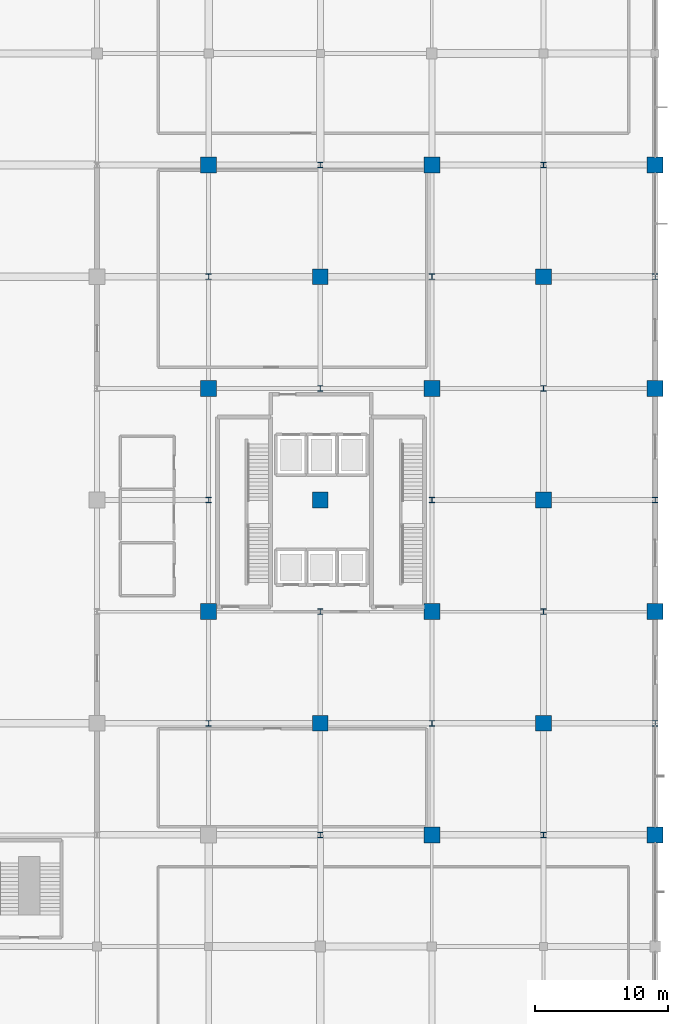
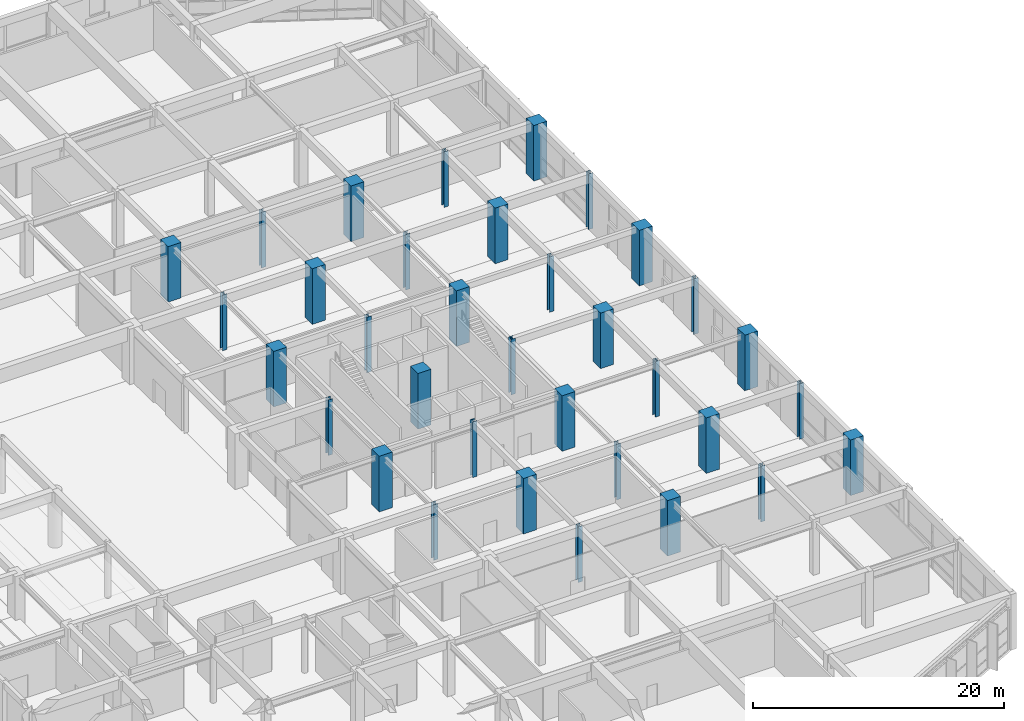
# One storey, part 6 of 62: 34 columns.
"""IFC4 building model written with IfcOpenShell, lengths in metres."""

from ifc_helpers import new_model, si_unit, direction, frame, origin, origin_2d, place, context, subcontext, project, spatial, rectangle, i_section, extrude, material, material_profile, profile_set, type_object, element, save


model = new_model("IFC4")

# Units and contexts
model_context = context("Model", 3, precision=1e-05, world=origin(), true_north=direction((0.0, 1.0)))
body_context = subcontext(model_context, "Body", "Model", "MODEL_VIEW")
ifc_project = project(units=[si_unit("LENGTHUNIT", "METRE"), si_unit("AREAUNIT", "SQUARE_METRE"), si_unit("VOLUMEUNIT", "CUBIC_METRE"), si_unit("PLANEANGLEUNIT", "RADIAN"), si_unit("MASSUNIT", "GRAM", prefix="KILO")], contexts=[model_context])

# Site, building, storey
site_placement = place(None, origin())
site = spatial("IfcSite", under=ifc_project, at=site_placement, CompositionType="ELEMENT")
building_placement = place(site_placement, origin())
building = spatial("IfcBuilding", under=site, at=building_placement, Name="Xuanlan Plaza Opera House", CompositionType="ELEMENT")
storey_placement = place(building_placement, origin())
storey = spatial("IfcBuildingStorey", under=building, at=storey_placement, Name="L00", CompositionType="ELEMENT", Elevation=0.0)

# Columns
ifc_material_1 = material(Name="Concrete C60", Category="concrete")
ifc_material_profile_1 = material_profile(ifc_material_1, rectangle(XDim=1.199951171875, YDim=1.199951171875, at=origin_2d()), Name="RC-COL 1200x1200")
ifc_profile_set_1 = profile_set([ifc_material_profile_1], Name="Concrete C60")
column_type_1 = type_object("IfcColumnType", Name="STR-COL-C-02", PredefinedType="COLUMN", material=ifc_profile_set_1)
for number, where, z_axis, x_axis, name in (
    (1, (134.39990234375, 50.39990234375, 0.0), (0.0, 0.0, 1.0), (1.0, 0.0, 0.0), "Column L00 17-G"),
    (2, (134.39990234375, 67.199951171875, 0.0), (0.0, 0.0, 1.0), (1.0, 0.0, 0.0), "Column L00 17-I"),
    (3, (134.39990234375, 84.0, 0.0), (0.0, 0.0, 1.0), (1.0, 0.0, 0.0), "Column L00 17-K"),
    (4, (142.800048828125, 42.0, 0.0), (0.0, 0.0, 1.0), (1.0, 0.0, 0.0), "Column L00 18-F"),
    (5, (142.800048828125, 58.800048828125, 0.0), (0.0, 0.0, 1.0), (1.0, 0.0, 0.0), "Column L00 18-H"),
    (6, (142.800048828125, 75.60009765625, 0.0), (0.0, 0.0, 1.0), (1.0, 0.0, 0.0), "Column L00 18-J"),
    (7, (151.199951171875, 33.60009765625, 0.0), (0.0, 0.0, 1.0), (1.0, 0.0, 0.0), "Column L00 19-E"),
    (8, (151.199951171875, 50.39990234375, 0.0), (0.0, 0.0, 1.0), (1.0, 0.0, 0.0), "Column L00 19-G"),
    (9, (151.199951171875, 67.199951171875, 0.0), (0.0, 0.0, 1.0), (1.0, 0.0, 0.0), "Column L00 19-I"),
    (10, (151.199951171875, 84.0, 0.0), (0.0, 0.0, 1.0), (1.0, 0.0, 0.0), "Column L00 19-K"),
    (11, (159.60009765625, 42.0, 0.0), (0.0, 0.0, 1.0), (1.0, 0.0, 0.0), "Column L00 20-F"),
    (12, (159.60009765625, 58.800048828125, 0.0), (0.0, 0.0, 1.0), (1.0, 0.0, 0.0), "Column L00 20-H"),
    (13, (159.60009765625, 75.60009765625, 0.0), (0.0, 0.0, 1.0), (1.0, 0.0, 0.0), "Column L00 20-J"),
    (14, (168.0, 33.60009765625, 0.0), (0.0, 0.0, 1.0), (1.0, 0.0, 0.0), "Column L00 21-E"),
    (15, (168.0, 50.39990234375, 0.0), (0.0, 0.0, 1.0), (1.0, 0.0, 0.0), "Column L00 21-G"),
    (16, (168.0, 67.199951171875, 0.0), (0.0, 0.0, 1.0), (1.0, 0.0, 0.0), "Column L00 21-I"),
    (17, (168.0, 84.0, 0.0), (0.0, 0.0, 1.0), (1.0, 0.0, 0.0), "Column L00 21-K"),
):
    element("IfcColumn", number, at=place(storey_placement, frame(where, z_axis=z_axis, x_axis=x_axis)), inside=storey, type_object=column_type_1, Name=name, PredefinedType="COLUMN", context=body_context, shape_type="SweptSolid", body=[
        extrude(rectangle(XDim=1.199951171875, YDim=1.199951171875, at=origin_2d()), origin(), (0.0, 0.0, 1.0), 5.39990234375),
    ])
ifc_material_2 = material(Name="Steel Q390B", Category="steel")
ifc_material_profile_2 = material_profile(ifc_material_2, i_section(OverallWidth=0.405029296875, OverallDepth=0.4140625, WebThickness=0.01806640625, FlangeThickness=0.028076171875, FilletRadius=0.02197265625, at=origin_2d()), Name="HW 414x405x18x28")
ifc_profile_set_2 = profile_set([ifc_material_profile_2], Name="Steel Q390B")
column_type_2 = type_object("IfcColumnType", Name="STR-COL-C-13", PredefinedType="COLUMN", material=ifc_profile_set_2)
for number, where, z_axis, x_axis, name in (
    (18, (134.39990234375, 42.0, 0.0), (0.0, 0.0, 1.0), (1.0, 0.0, 0.0), "Column L00 17-F"),
    (19, (134.39990234375, 58.800048828125, 0.0), (0.0, 0.0, 1.0), (1.0, 0.0, 0.0), "Column L00 17-H"),
    (20, (134.39990234375, 75.60009765625, 0.0), (0.0, 0.0, 1.0), (1.0, 0.0, 0.0), "Column L00 17-J"),
    (21, (142.800048828125, 33.60009765625, 0.0), (0.0, 0.0, 1.0), (1.0, 0.0, 0.0), "Column L00 18-E"),
    (22, (142.800048828125, 50.39990234375, 0.0), (0.0, 0.0, 1.0), (1.0, 0.0, 0.0), "Column L00 18-G"),
    (23, (142.800048828125, 67.199951171875, 0.0), (0.0, 0.0, 1.0), (1.0, 0.0, 0.0), "Column L00 18-I"),
    (24, (142.800048828125, 84.0, 0.0), (0.0, 0.0, 1.0), (1.0, 0.0, 0.0), "Column L00 18-K"),
    (25, (151.199951171875, 42.0, 0.0), (0.0, 0.0, 1.0), (1.0, 0.0, 0.0), "Column L00 19-F"),
    (26, (151.199951171875, 58.800048828125, 0.0), (0.0, 0.0, 1.0), (1.0, 0.0, 0.0), "Column L00 19-H"),
    (27, (151.199951171875, 75.60009765625, 0.0), (0.0, 0.0, 1.0), (1.0, 0.0, 0.0), "Column L00 19-J"),
    (28, (159.60009765625, 33.60009765625, 0.0), (0.0, 0.0, 1.0), (1.0, 0.0, 0.0), "Column L00 20-E"),
    (29, (159.60009765625, 50.39990234375, 0.0), (0.0, 0.0, 1.0), (1.0, 0.0, 0.0), "Column L00 20-G"),
    (30, (159.60009765625, 67.199951171875, 0.0), (0.0, 0.0, 1.0), (1.0, 0.0, 0.0), "Column L00 20-I"),
    (31, (159.60009765625, 84.0, 0.0), (0.0, 0.0, 1.0), (1.0, 0.0, 0.0), "Column L00 20-K"),
    (32, (168.0, 42.0, 0.0), (0.0, 0.0, 1.0), (1.0, 0.0, 0.0), "Column L00 21-F"),
    (33, (168.0, 58.800048828125, 0.0), (0.0, 0.0, 1.0), (1.0, 0.0, 0.0), "Column L00 21-H"),
    (34, (168.0, 75.60009765625, 0.0), (0.0, 0.0, 1.0), (1.0, 0.0, 0.0), "Column L00 21-J"),
):
    element("IfcColumn", number, at=place(storey_placement, frame(where, z_axis=z_axis, x_axis=x_axis)), inside=storey, type_object=column_type_2, Name=name, PredefinedType="COLUMN", context=body_context, shape_type="SweptSolid", body=[
        extrude(i_section(OverallWidth=0.405029296875, OverallDepth=0.4140625, WebThickness=0.01806640625, FlangeThickness=0.028076171875, FilletRadius=0.02197265625, at=origin_2d()), origin(), (0.0, 0.0, 1.0), 5.39990234375),
    ])

save(model, "model.ifc")
